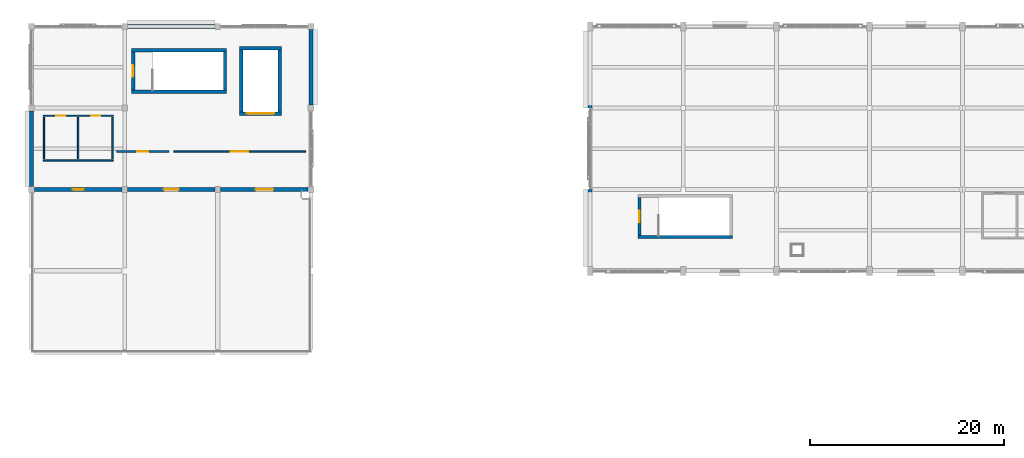
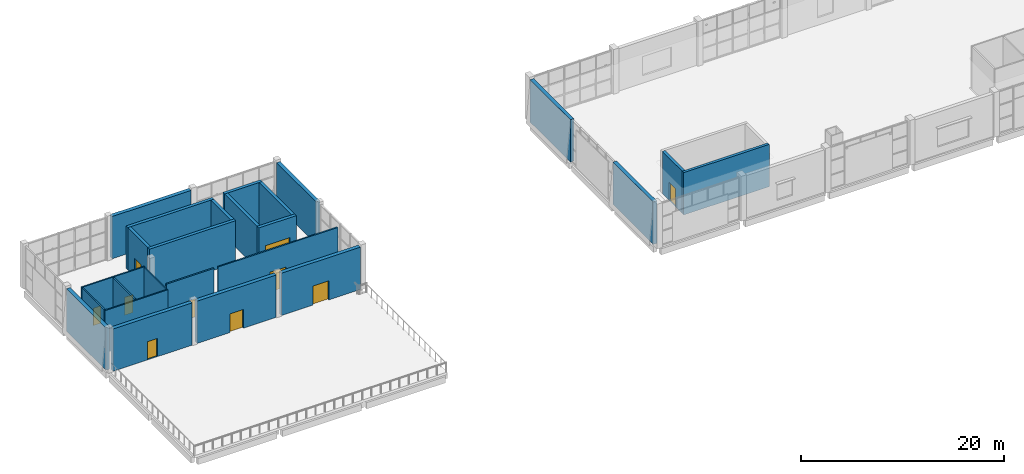
# One storey, part 41 of 57: 25 walls, 10 doors, 10 openings.
"""IFC4 building model written with IfcOpenShell, lengths in metres."""

from ifc_helpers import new_model, si_unit, direction, frame, frame_2d, origin, place, context, subcontext, project, spatial, rectangle, extrude, material, layer, layer_set, type_object, element, fill, save


model = new_model("IFC4")

# Units and contexts
model_context = context("Model", 3, precision=1e-05, world=origin(), true_north=direction((0.0, 1.0)))
body_context = subcontext(model_context, "Body", "Model", "MODEL_VIEW")
ifc_project = project(units=[si_unit("LENGTHUNIT", "METRE"), si_unit("AREAUNIT", "SQUARE_METRE"), si_unit("VOLUMEUNIT", "CUBIC_METRE"), si_unit("PLANEANGLEUNIT", "RADIAN"), si_unit("MASSUNIT", "GRAM", prefix="KILO")], contexts=[model_context])

# Site, building, storey
site_placement = place(None, origin())
site = spatial("IfcSite", under=ifc_project, at=site_placement, CompositionType="ELEMENT")
building_placement = place(site_placement, origin())
building = spatial("IfcBuilding", under=site, at=building_placement, Name="Shalvenor Court Art Gallery", CompositionType="ELEMENT")
storey_placement = place(building_placement, frame((0.0, 0.0, 16.800048828125)))
storey = spatial("IfcBuildingStorey", under=building, at=storey_placement, Name="L03", CompositionType="ELEMENT", Elevation=16.800048828125)

# Walls
ifc_material_1 = material(Name="Concrete C40/50", Category="concrete")
ifc_layer_1 = layer(ifc_material_1, 0.35009765625, Name="Concrete C40/50")
ifc_layer_set_1 = layer_set([ifc_layer_1], Name="Concrete C40/50")
wall_type_1 = type_object("IfcWallType", Name="CW-W1", PredefinedType="SHEAR", material=ifc_layer_set_1)
wall_1_placement = place(storey_placement, frame((10.2880859375, 119.93701171875, 0.0), z_axis=(0.0, 0.0, 1.0), x_axis=(1.0, 0.0, 0.0)))
element("IfcWall", 1, at=wall_1_placement, inside=storey, type_object=wall_type_1, Name="L03 C6 Stair Core Shear Wall N", PredefinedType="SHEAR", context=body_context, shape_type="SweptSolid", body=[
    extrude(rectangle(XDim=9.823974609375, YDim=0.35009765625, at=frame_2d((4.912109375, 0.0))), origin(), (0.0, 0.0, 1.0), 5.099853515625),
])
wall_2_placement = place(storey_placement, frame((19.93701171875, 119.761962890625, 0.0), z_axis=(0.0, 0.0, 1.0), x_axis=(0.0, -1.0, 0.0)))
element("IfcWall", 2, at=wall_2_placement, inside=storey, type_object=wall_type_1, Name="L03 C6 Stair Core Shear Wall E", PredefinedType="SHEAR", context=body_context, shape_type="SweptSolid", body=[
    extrude(rectangle(XDim=3.924072265625, YDim=0.35009765625, at=frame_2d((1.9619140625, 0.0))), origin(), (0.0, 0.0, 1.0), 5.099853515625),
])
wall_3_placement = place(storey_placement, frame((20.112060546875, 115.6630859375, 0.0), z_axis=(0.0, 0.0, 1.0), x_axis=(-1.0, 0.0, 0.0)))
element("IfcWall", 3, at=wall_3_placement, inside=storey, type_object=wall_type_1, Name="L03 C6 Stair Core Shear Wall S", PredefinedType="SHEAR", context=body_context, shape_type="SweptSolid", body=[
    extrude(rectangle(XDim=9.823974609375, YDim=0.35009765625, at=frame_2d((4.912109375, 0.0))), origin(), (0.0, 0.0, 1.0), 5.099853515625),
])

# Wall, opening, door
wall_4_placement = place(storey_placement, frame((10.462890625, 115.837890625, 0.0), z_axis=(0.0, 0.0, 1.0), x_axis=(0.0, 1.0, 0.0)))
wall_4 = element("IfcWall", 4, at=wall_4_placement, inside=storey, type_object=wall_type_1, Name="L03 C6 Stair Core Shear Wall W", PredefinedType="SHEAR", context=body_context, shape_type="SweptSolid", body=[
    extrude(rectangle(XDim=3.924072265625, YDim=0.35009765625, at=frame_2d((1.9619140625, 0.0))), origin(), (0.0, 0.0, 1.0), 5.099853515625),
])
opening_1_placement = place(wall_4_placement, frame((1.362060546875, 0.0, 0.0)))
opening_1 = element("IfcOpeningElement", 5, at=opening_1_placement, cuts=wall_4, Name="Opening FD-01", PredefinedType="OPENING", context=body_context, shape_type="SweptSolid", body=[
    extrude(rectangle(XDim=1.199951171875, YDim=2.199951171875, at=frame_2d((0.60009765625, 1.10009765625))), frame((0.0, 0.18505859375, 0.0), z_axis=(0.0, -1.0, 0.0), x_axis=(1.0, 0.0, 0.0)), (0.0, 0.0, 1.0), 0.3701171875),
])
ifc_material_2 = material(Name="Fire-rated steel stair doorset", Category="steel")
door_type_1 = type_object("IfcDoorType", Name="FD-01", OperationType="NOTDEFINED", PredefinedType="DOOR", material=ifc_material_2)
door_1_placement = place(opening_1_placement, origin())
door_1 = element("IfcDoor", 6, at=door_1_placement, inside=storey, type_object=door_type_1, Name="DR-ST-L03-C6 L03 ST-06 Fire Stair Door", OperationType="SINGLE_SWING_LEFT", OverallHeight=2.199951171875, OverallWidth=1.199951171875, PredefinedType="DOOR", context=body_context, shape_type="SweptSolid", body=[
    extrude(rectangle(XDim=1.199951171875, YDim=2.199951171875, at=frame_2d((0.60009765625, 1.10009765625))), frame((0.0, 0.02490234375, 0.0), z_axis=(0.0, -1.0, 0.0), x_axis=(1.0, 0.0, 0.0)), (0.0, 0.0, 1.0), 0.050048828125),
])
fill(opening_1, door_1)

# Walls
wall_5_placement = place(storey_placement, frame((21.449951171875, 120.175048828125, 0.0), z_axis=(0.0, 0.0, 1.0), x_axis=(1.0, 0.0, 0.0)))
element("IfcWall", 7, at=wall_5_placement, inside=storey, type_object=wall_type_1, Name="L03 GL-01 Lift Shaft Wall N", PredefinedType="SHEAR", context=body_context, shape_type="SweptSolid", body=[
    extrude(rectangle(XDim=4.300048828125, YDim=0.35009765625, at=frame_2d((2.14990234375, 0.0))), origin(), (0.0, 0.0, 1.0), 5.099853515625),
])
wall_6_placement = place(storey_placement, frame((25.574951171875, 120.0, 0.0), z_axis=(0.0, 0.0, 1.0), x_axis=(0.0, -1.0, 0.0)))
element("IfcWall", 8, at=wall_6_placement, inside=storey, type_object=wall_type_1, Name="L03 GL-01 Lift Shaft Wall E", PredefinedType="SHEAR", context=body_context, shape_type="SweptSolid", body=[
    extrude(rectangle(XDim=6.39990234375, YDim=0.35009765625, at=frame_2d((3.199951171875, 0.0))), origin(), (0.0, 0.0, 1.0), 5.099853515625),
])

# Wall, opening, door
wall_7_placement = place(storey_placement, frame((25.75, 113.425048828125, 0.0), z_axis=(0.0, 0.0, 1.0), x_axis=(-1.0, 0.0, 0.0)))
wall_7 = element("IfcWall", 9, at=wall_7_placement, inside=storey, type_object=wall_type_1, Name="L03 GL-01 Lift Shaft Wall S", PredefinedType="SHEAR", context=body_context, shape_type="SweptSolid", body=[
    extrude(rectangle(XDim=4.300048828125, YDim=0.35009765625, at=frame_2d((2.14990234375, 0.0))), origin(), (0.0, 0.0, 1.0), 5.099853515625),
])
opening_2_placement = place(wall_7_placement, frame((0.75, 0.0, 0.0)))
opening_2 = element("IfcOpeningElement", 10, at=opening_2_placement, cuts=wall_7, Name="Opening LD-03", PredefinedType="OPENING", context=body_context, shape_type="SweptSolid", body=[
    extrude(rectangle(XDim=2.800048828125, YDim=2.699951171875, at=frame_2d((1.39990234375, 1.35009765625))), frame((0.0, 0.18505859375, 0.0), z_axis=(0.0, -1.0, 0.0), x_axis=(1.0, 0.0, 0.0)), (0.0, 0.0, 1.0), 0.3701171875),
])
ifc_material_3 = material(Name="Heavy-duty clean-art freight lift sliding landing door", Category="steel")
door_type_2 = type_object("IfcDoorType", Name="LD-03", OperationType="NOTDEFINED", PredefinedType="DOOR", material=ifc_material_3)
door_2_placement = place(opening_2_placement, origin())
door_2 = element("IfcDoor", 11, at=door_2_placement, inside=storey, type_object=door_type_2, Name="DR-LD-L03-GL-01 L03 GL-01 Lift Landing Sliding Door", OperationType="DOUBLE_DOOR_SLIDING", OverallHeight=2.699951171875, OverallWidth=2.800048828125, PredefinedType="DOOR", context=body_context, shape_type="SweptSolid", body=[
    extrude(rectangle(XDim=2.800048828125, YDim=2.699951171875, at=frame_2d((1.39990234375, 1.35009765625))), frame((0.0, 0.02490234375, 0.0), z_axis=(0.0, -1.0, 0.0), x_axis=(1.0, 0.0, 0.0)), (0.0, 0.0, 1.0), 0.050048828125),
])
fill(opening_2, door_2)

# Walls
wall_8_placement = place(storey_placement, frame((21.625, 113.60009765625, 0.0), z_axis=(0.0, 0.0, 1.0), x_axis=(0.0, 1.0, 0.0)))
element("IfcWall", 12, at=wall_8_placement, inside=storey, type_object=wall_type_1, Name="L03 GL-01 Lift Shaft Wall W", PredefinedType="SHEAR", context=body_context, shape_type="SweptSolid", body=[
    extrude(rectangle(XDim=6.39990234375, YDim=0.35009765625, at=frame_2d((3.199951171875, 0.0))), origin(), (0.0, 0.0, 1.0), 5.099853515625),
])
ifc_material_4 = material(Name="Concrete C40/50", Category="concrete")
ifc_layer_2 = layer(ifc_material_4, 0.31005859375, Name="Concrete C40/50")
ifc_layer_set_2 = layer_set([ifc_layer_2], Name="Concrete C40/50")
wall_type_2 = type_object("IfcWallType", Name="CW-W2", PredefinedType="SHEAR", material=ifc_layer_set_2)
wall_9_placement = place(storey_placement, frame((72.27197265625, 100.68310546875, 0.0), z_axis=(0.0, 0.0, 1.0), x_axis=(-1.0, 0.0, 0.0)))
element("IfcWall", 13, at=wall_9_placement, inside=storey, type_object=wall_type_2, Name="L03 C9 Stair Core Shear Wall S", PredefinedType="SHEAR", context=body_context, shape_type="SweptSolid", body=[
    extrude(rectangle(XDim=9.743896484375, YDim=0.31005859375, at=frame_2d((4.8720703125, 0.0))), origin(), (0.0, 0.0, 1.0), 5.099853515625),
])

# Wall, opening, door
wall_10_placement = place(storey_placement, frame((62.68310546875, 100.837890625, 0.0), z_axis=(0.0, 0.0, 1.0), x_axis=(0.0, 1.0, 0.0)))
wall_10 = element("IfcWall", 14, at=wall_10_placement, inside=storey, type_object=wall_type_2, Name="L03 C9 Stair Core Shear Wall W", PredefinedType="SHEAR", context=body_context, shape_type="SweptSolid", body=[
    extrude(rectangle(XDim=3.924072265625, YDim=0.31005859375, at=frame_2d((1.9619140625, 0.0))), origin(), (0.0, 0.0, 1.0), 5.099853515625),
])
opening_3_placement = place(wall_10_placement, frame((1.362060546875, 0.0, 0.0)))
opening_3 = element("IfcOpeningElement", 15, at=opening_3_placement, cuts=wall_10, Name="Opening FD-01", PredefinedType="OPENING", context=body_context, shape_type="SweptSolid", body=[
    extrude(rectangle(XDim=1.199951171875, YDim=2.199951171875, at=frame_2d((0.60009765625, 1.10009765625))), frame((0.0, 0.1650390625, 0.0), z_axis=(0.0, -1.0, 0.0), x_axis=(1.0, 0.0, 0.0)), (0.0, 0.0, 1.0), 0.330078125),
])
door_3_placement = place(opening_3_placement, origin())
door_3 = element("IfcDoor", 16, at=door_3_placement, inside=storey, type_object=door_type_1, Name="DR-ST-L03-C9 L03 ST-09 Fire Stair Door", OperationType="SINGLE_SWING_RIGHT", OverallHeight=2.199951171875, OverallWidth=1.199951171875, PredefinedType="DOOR", context=body_context, shape_type="SweptSolid", body=[
    extrude(rectangle(XDim=1.199951171875, YDim=2.199951171875, at=frame_2d((0.60009765625, 1.10009765625))), frame((0.0, 0.02490234375, 0.0), z_axis=(0.0, -1.0, 0.0), x_axis=(1.0, 0.0, 0.0)), (0.0, 0.0, 1.0), 0.050048828125),
])
fill(opening_3, door_3)

# Walls
ifc_material_5 = material(Name="Concrete C40/50", Category="concrete")
ifc_layer_3 = layer(ifc_material_5, 0.419921875, Name="Concrete C40/50")
ifc_layer_set_3 = layer_set([ifc_layer_3], Name="Concrete C40/50")
wall_type_3 = type_object("IfcWallType", Name="EW-02", PredefinedType="SOLIDWALL", material=ifc_layer_set_3)
wall_11_placement = place(storey_placement, frame((57.60009765625, 97.64990234375, 0.0), z_axis=(0.0, 0.0, 1.0), x_axis=(0.0, 1.0, 0.0)))
element("IfcWall", 17, at=wall_11_placement, inside=storey, type_object=wall_type_3, Name="L03 V2 Exterior Wall WL-L03-0162", PredefinedType="SOLIDWALL", context=body_context, shape_type="SweptSolid", body=[
    extrude(rectangle(XDim=7.9501953125, YDim=0.419921875, at=frame_2d((3.97509765625, 0.0))), origin(), (0.0, 0.0, 1.0), 5.099853515625),
])
wall_12_placement = place(storey_placement, frame((57.60009765625, 114.0, 0.0), z_axis=(0.0, 0.0, 1.0), x_axis=(0.0, 1.0, 0.0)))
element("IfcWall", 18, at=wall_12_placement, inside=storey, type_object=wall_type_3, Name="L03 V2 Exterior Wall WL-L03-0163", PredefinedType="SOLIDWALL", context=body_context, shape_type="SweptSolid", body=[
    extrude(rectangle(XDim=7.949951171875, YDim=0.419921875, at=frame_2d((3.97509765625, 0.0))), origin(), (0.0, 0.0, 1.0), 5.099853515625),
])
wall_13_placement = place(storey_placement, frame((9.89990234375, 122.39990234375, 0.0), z_axis=(0.0, 0.0, 1.0), x_axis=(1.0, 0.0, 0.0)))
element("IfcWall", 19, at=wall_13_placement, inside=storey, type_object=wall_type_3, Name="L03 V5 Exterior Wall WL-L03-0314", PredefinedType="SOLIDWALL", context=body_context, shape_type="SweptSolid", body=[
    extrude(rectangle(XDim=9.0, YDim=0.419921875, at=frame_2d((4.5, 0.0))), origin(), (0.0, 0.0, 1.0), 5.099853515625),
])
wall_14_placement = place(storey_placement, frame((28.800048828125, 122.10009765625, 0.0), z_axis=(0.0, 0.0, 1.0), x_axis=(0.0, -1.0, 0.0)))
element("IfcWall", 20, at=wall_14_placement, inside=storey, type_object=wall_type_3, Name="L03 V5 Exterior Wall WL-L03-0315", PredefinedType="SOLIDWALL", context=body_context, shape_type="SweptSolid", body=[
    extrude(rectangle(XDim=7.800048828125, YDim=0.419921875, at=frame_2d((3.89990234375, 0.0))), origin(), (0.0, 0.0, 1.0), 5.099853515625),
])

# Wall, opening, door
wall_15_placement = place(storey_placement, frame((28.5, 105.60009765625, 0.0), z_axis=(0.0, 0.0, 1.0), x_axis=(-1.0, 0.0, 0.0)))
wall_15 = element("IfcWall", 21, at=wall_15_placement, inside=storey, type_object=wall_type_3, Name="L03 V5 Exterior Wall WL-L03-0316", PredefinedType="SOLIDWALL", context=body_context, shape_type="SweptSolid", body=[
    extrude(rectangle(XDim=9.0, YDim=0.419921875, at=frame_2d((4.5, 0.0))), origin(), (0.0, 0.0, 1.0), 5.099853515625),
])
opening_4_placement = place(wall_15_placement, frame((3.60009765625, 0.0, 0.0)))
opening_4 = element("IfcOpeningElement", 22, at=opening_4_placement, cuts=wall_15, Name="Opening TD-01", PredefinedType="OPENING", context=body_context, shape_type="SweptSolid", body=[
    extrude(rectangle(XDim=1.800048828125, YDim=2.300048828125, at=frame_2d((0.89990234375, 1.14990234375))), frame((0.0, 0.219970703125, 0.0), z_axis=(0.0, -1.0, 0.0), x_axis=(1.0, 0.0, 0.0)), (0.0, 0.0, 1.0), 0.43994140625),
])
ifc_material_6 = material(Name="Anodised aluminium glazed terrace door", Category="aluminium")
door_type_3 = type_object("IfcDoorType", Name="TD-01", OperationType="NOTDEFINED", PredefinedType="DOOR", material=ifc_material_6)
door_4_placement = place(opening_4_placement, origin())
door_4 = element("IfcDoor", 23, at=door_4_placement, inside=storey, type_object=door_type_3, Name="DR-TR-055 L03 Gallery Terrace Door", OperationType="DOUBLE_DOOR_SINGLE_SWING", OverallHeight=2.300048828125, OverallWidth=1.800048828125, PredefinedType="DOOR", context=body_context, shape_type="SweptSolid", body=[
    extrude(rectangle(XDim=1.800048828125, YDim=2.300048828125, at=frame_2d((0.89990234375, 1.14990234375))), frame((0.0, 0.02490234375, 0.0), z_axis=(0.0, -1.0, 0.0), x_axis=(1.0, 0.0, 0.0)), (0.0, 0.0, 1.0), 0.050048828125),
])
fill(opening_4, door_4)

wall_16_placement = place(storey_placement, frame((18.89990234375, 105.60009765625, 0.0), z_axis=(0.0, 0.0, 1.0), x_axis=(-1.0, 0.0, 0.0)))
wall_16 = element("IfcWall", 24, at=wall_16_placement, inside=storey, type_object=wall_type_3, Name="L03 V5 Exterior Wall WL-L03-0317", PredefinedType="SOLIDWALL", context=body_context, shape_type="SweptSolid", body=[
    extrude(rectangle(XDim=9.0, YDim=0.419921875, at=frame_2d((4.5, 0.0))), origin(), (0.0, 0.0, 1.0), 5.099853515625),
])
opening_5_placement = place(wall_16_placement, frame((3.75, 0.0, 0.0)))
opening_5 = element("IfcOpeningElement", 25, at=opening_5_placement, cuts=wall_16, Name="Opening TD-02", PredefinedType="OPENING", context=body_context, shape_type="SweptSolid", body=[
    extrude(rectangle(XDim=1.5, YDim=2.25, at=frame_2d((0.75, 1.125))), frame((0.0, 0.219970703125, 0.0), z_axis=(0.0, -1.0, 0.0), x_axis=(1.0, 0.0, 0.0)), (0.0, 0.0, 1.0), 0.43994140625),
])
ifc_material_7 = material(Name="Anodised aluminium glazed terrace door", Category="aluminium")
door_type_4 = type_object("IfcDoorType", Name="TD-02", OperationType="NOTDEFINED", PredefinedType="DOOR", material=ifc_material_7)
door_5_placement = place(opening_5_placement, origin())
door_5 = element("IfcDoor", 26, at=door_5_placement, inside=storey, type_object=door_type_4, Name="DR-TR-056 L03 Gallery Terrace Door", OperationType="DOUBLE_DOOR_SINGLE_SWING", OverallHeight=2.25, OverallWidth=1.5, PredefinedType="DOOR", context=body_context, shape_type="SweptSolid", body=[
    extrude(rectangle(XDim=1.5, YDim=2.25, at=frame_2d((0.75, 1.125))), frame((0.0, 0.02490234375, 0.0), z_axis=(0.0, -1.0, 0.0), x_axis=(1.0, 0.0, 0.0)), (0.0, 0.0, 1.0), 0.050048828125),
])
fill(opening_5, door_5)

wall_17_placement = place(storey_placement, frame((9.300048828125, 105.60009765625, 0.0), z_axis=(0.0, 0.0, 1.0), x_axis=(-1.0, 0.0, 0.0)))
wall_17 = element("IfcWall", 27, at=wall_17_placement, inside=storey, type_object=wall_type_3, Name="L03 V5 Exterior Wall WL-L03-0318", PredefinedType="SOLIDWALL", context=body_context, shape_type="SweptSolid", body=[
    extrude(rectangle(XDim=9.0, YDim=0.419921875, at=frame_2d((4.5, 0.0))), origin(), (0.0, 0.0, 1.0), 5.099853515625),
])
opening_6_placement = place(wall_17_placement, frame((3.949951171875, 0.0, 0.0)))
opening_6 = element("IfcOpeningElement", 28, at=opening_6_placement, cuts=wall_17, Name="Opening TD-03", PredefinedType="OPENING", context=body_context, shape_type="SweptSolid", body=[
    extrude(rectangle(XDim=1.10009765625, YDim=2.199951171875, at=frame_2d((0.550048828125, 1.10009765625))), frame((0.0, 0.219970703125, 0.0), z_axis=(0.0, -1.0, 0.0), x_axis=(1.0, 0.0, 0.0)), (0.0, 0.0, 1.0), 0.43994140625),
])
ifc_material_8 = material(Name="Anodised aluminium glazed terrace door", Category="aluminium")
door_type_5 = type_object("IfcDoorType", Name="TD-03", OperationType="NOTDEFINED", PredefinedType="DOOR", material=ifc_material_8)
door_6_placement = place(opening_6_placement, origin())
door_6 = element("IfcDoor", 29, at=door_6_placement, inside=storey, type_object=door_type_5, Name="DR-TR-057 L03 Gallery Terrace Door", OperationType="SINGLE_SWING_RIGHT", OverallHeight=2.199951171875, OverallWidth=1.10009765625, PredefinedType="DOOR", context=body_context, shape_type="SweptSolid", body=[
    extrude(rectangle(XDim=1.10009765625, YDim=2.199951171875, at=frame_2d((0.550048828125, 1.10009765625))), frame((0.0, 0.02490234375, 0.0), z_axis=(0.0, -1.0, 0.0), x_axis=(1.0, 0.0, 0.0)), (0.0, 0.0, 1.0), 0.050048828125),
])
fill(opening_6, door_6)

# Wall
wall_18_placement = place(storey_placement, frame((0.0, 105.89990234375, 0.0), z_axis=(0.0, 0.0, 1.0), x_axis=(0.0, 1.0, 0.0)))
element("IfcWall", 30, at=wall_18_placement, inside=storey, type_object=wall_type_3, Name="L03 V5 Exterior Wall WL-L03-0319", PredefinedType="SOLIDWALL", context=body_context, shape_type="SweptSolid", body=[
    extrude(rectangle(XDim=7.800048828125, YDim=0.419921875, at=frame_2d((3.89990234375, 0.0))), origin(), (0.0, 0.0, 1.0), 5.099853515625),
])

# Wall, opening, door
ifc_material_9 = material(Name="Plywood-backed acoustic art-hanging partition", Category="wood")
ifc_layer_4 = layer(ifc_material_9, 0.179931640625, Name="Plywood-backed acoustic art-hanging partition")
ifc_layer_set_4 = layer_set([ifc_layer_4], Name="Plywood-backed acoustic art-hanging partition")
wall_type_4 = type_object("IfcWallType", Name="PT-01", PredefinedType="PARTITIONING", material=ifc_layer_set_4)
wall_19_placement = place(storey_placement, frame((8.72998046875, 109.52001953125, 0.0), z_axis=(0.0, 0.0, 1.0), x_axis=(1.0, 0.0, 0.0)))
wall_19 = element("IfcWall", 31, at=wall_19_placement, inside=storey, type_object=wall_type_4, Name="L03 Paper Restoration Workshop Partition 661", PredefinedType="PARTITIONING", context=body_context, shape_type="SweptSolid", body=[
    extrude(rectangle(XDim=5.43994140625, YDim=0.179931640625, at=frame_2d((2.719970703125, 0.0))), origin(), (0.0, 0.0, 1.0), 5.099853515625),
])
opening_7_placement = place(wall_19_placement, frame((2.14501953125, 0.0, 0.0)))
opening_7 = element("IfcOpeningElement", 32, at=opening_7_placement, cuts=wall_19, Name="Opening ID-10", PredefinedType="OPENING", context=body_context, shape_type="SweptSolid", body=[
    extrude(rectangle(XDim=1.14990234375, YDim=2.199951171875, at=frame_2d((0.574951171875, 1.10009765625))), frame((0.0, 0.099853515625, 0.0), z_axis=(0.0, -1.0, 0.0), x_axis=(1.0, 0.0, 0.0)), (0.0, 0.0, 1.0), 0.199951171875),
])
ifc_material_10 = material(Name="Acoustic conservation lab single doorset", Category="steel")
door_type_6 = type_object("IfcDoorType", Name="ID-10", OperationType="NOTDEFINED", PredefinedType="DOOR", material=ifc_material_10)
door_7_placement = place(opening_7_placement, origin())
door_7 = element("IfcDoor", 33, at=door_7_placement, inside=storey, type_object=door_type_6, Name="DR-RM-L03-0192 L03 Paper Restoration Workshop Door", OperationType="SINGLE_SWING_RIGHT", OverallHeight=2.199951171875, OverallWidth=1.14990234375, PredefinedType="DOOR", context=body_context, shape_type="SweptSolid", body=[
    extrude(rectangle(XDim=1.14990234375, YDim=2.199951171875, at=frame_2d((0.574951171875, 1.10009765625))), frame((0.0, 0.02490234375, 0.0), z_axis=(0.0, -1.0, 0.0), x_axis=(1.0, 0.0, 0.0)), (0.0, 0.0, 1.0), 0.050048828125),
])
fill(opening_7, door_7)

ifc_material_11 = material(Name="Double-stud acoustic gallery partition", Category="other")
ifc_layer_5 = layer(ifc_material_11, 0.1650390625, Name="Double-stud acoustic gallery partition")
ifc_layer_set_5 = layer_set([ifc_layer_5], Name="Double-stud acoustic gallery partition")
wall_type_5 = type_object("IfcWallType", Name="PT-02", PredefinedType="PARTITIONING", material=ifc_layer_set_5)
wall_20_placement = place(storey_placement, frame((14.6298828125, 109.52001953125, 0.0), z_axis=(0.0, 0.0, 1.0), x_axis=(1.0, 0.0, 0.0)))
wall_20 = element("IfcWall", 34, at=wall_20_placement, inside=storey, type_object=wall_type_5, Name="L03 Artists' Residency Studio Partition 662", PredefinedType="PARTITIONING", context=body_context, shape_type="SweptSolid", body=[
    extrude(rectangle(XDim=13.6201171875, YDim=0.1650390625, at=frame_2d((6.81005859375, 0.0))), origin(), (0.0, 0.0, 1.0), 5.099853515625),
])
opening_8_placement = place(wall_20_placement, frame((5.909912109375, 0.0, 0.0)))
opening_8 = element("IfcOpeningElement", 35, at=opening_8_placement, cuts=wall_20, Name="Opening ID-01", PredefinedType="OPENING", context=body_context, shape_type="SweptSolid", body=[
    extrude(rectangle(XDim=1.800048828125, YDim=2.39990234375, at=frame_2d((0.89990234375, 1.199951171875))), frame((0.0, 0.092529296875, 0.0), z_axis=(0.0, -1.0, 0.0), x_axis=(1.0, 0.0, 0.0)), (0.0, 0.0, 1.0), 0.18505859375),
])
ifc_material_12 = material(Name="Oak-veneered acoustic gallery double doorset", Category="wood")
door_type_7 = type_object("IfcDoorType", Name="ID-01", OperationType="NOTDEFINED", PredefinedType="DOOR", material=ifc_material_12)
door_8_placement = place(opening_8_placement, origin())
door_8 = element("IfcDoor", 36, at=door_8_placement, inside=storey, type_object=door_type_7, Name="DR-RM-L03-0193 L03 Artists' Residency Studio Door", OperationType="DOUBLE_DOOR_SINGLE_SWING", OverallHeight=2.39990234375, OverallWidth=1.800048828125, PredefinedType="DOOR", context=body_context, shape_type="SweptSolid", body=[
    extrude(rectangle(XDim=1.800048828125, YDim=2.39990234375, at=frame_2d((0.89990234375, 1.199951171875))), frame((0.0, 0.02490234375, 0.0), z_axis=(0.0, -1.0, 0.0), x_axis=(1.0, 0.0, 0.0)), (0.0, 0.0, 1.0), 0.050048828125),
])
fill(opening_8, door_8)

# Wall, openings, doors
ifc_material_13 = material(Name="Moisture-resistant sanitary partition", Category="other")
ifc_layer_6 = layer(ifc_material_13, 0.14990234375, Name="Moisture-resistant sanitary partition")
ifc_layer_set_6 = layer_set([ifc_layer_6], Name="Moisture-resistant sanitary partition")
wall_type_6 = type_object("IfcWallType", Name="PT-03", PredefinedType="PARTITIONING", material=ifc_layer_set_6)
wall_21_placement = place(storey_placement, frame((1.199951171875, 113.199951171875, 0.0), z_axis=(0.0, 0.0, 1.0), x_axis=(1.0, 0.0, 0.0)))
wall_21 = element("IfcWall", 37, at=wall_21_placement, inside=storey, type_object=wall_type_6, Name="L03 C6 Restroom Front Partition", PredefinedType="PARTITIONING", context=body_context, shape_type="SweptSolid", body=[
    extrude(rectangle(XDim=7.199951171875, YDim=0.14990234375, at=frame_2d((3.60009765625, 0.0))), origin(), (0.0, 0.0, 1.0), 5.099853515625),
])
opening_9_placement = place(wall_21_placement, frame((1.35009765625, 0.0, 0.0)))
opening_9 = element("IfcOpeningElement", 38, at=opening_9_placement, cuts=wall_21, Name="Opening ID-07", PredefinedType="OPENING", context=body_context, shape_type="SweptSolid", body=[
    extrude(rectangle(XDim=0.89990234375, YDim=2.10009765625, at=frame_2d((0.449951171875, 1.050048828125))), frame((0.0, 0.0849609375, 0.0), z_axis=(0.0, -1.0, 0.0), x_axis=(1.0, 0.0, 0.0)), (0.0, 0.0, 1.0), 0.169921875),
])
opening_10_placement = place(wall_21_placement, frame((4.925048828125, 0.0, 0.0)))
opening_10 = element("IfcOpeningElement", 39, at=opening_10_placement, cuts=wall_21, Name="Opening ID-06", PredefinedType="OPENING", context=body_context, shape_type="SweptSolid", body=[
    extrude(rectangle(XDim=0.949951171875, YDim=2.14990234375, at=frame_2d((0.47509765625, 1.074951171875))), frame((0.0, 0.0849609375, 0.0), z_axis=(0.0, -1.0, 0.0), x_axis=(1.0, 0.0, 0.0)), (0.0, 0.0, 1.0), 0.169921875),
])
ifc_material_14 = material(Name="Accessible restroom doorset", Category="steel")
door_type_8 = type_object("IfcDoorType", Name="ID-06", OperationType="NOTDEFINED", PredefinedType="DOOR", material=ifc_material_14)
door_9_placement = place(opening_10_placement, origin())
door_9 = element("IfcDoor", 40, at=door_9_placement, inside=storey, type_object=door_type_8, Name="DR-AWC-L03-C6-2 L03 C6 Accessible Restroom Door", OperationType="SINGLE_SWING_LEFT", OverallHeight=2.14990234375, OverallWidth=0.949951171875, PredefinedType="DOOR", context=body_context, shape_type="SweptSolid", body=[
    extrude(rectangle(XDim=0.949951171875, YDim=2.14990234375, at=frame_2d((0.47509765625, 1.074951171875))), frame((0.0, 0.02490234375, 0.0), z_axis=(0.0, -1.0, 0.0), x_axis=(1.0, 0.0, 0.0)), (0.0, 0.0, 1.0), 0.050048828125),
])
fill(opening_10, door_9)
ifc_material_15 = material(Name="Restroom timber doorset", Category="wood")
door_type_9 = type_object("IfcDoorType", Name="ID-07", OperationType="NOTDEFINED", PredefinedType="DOOR", material=ifc_material_15)
door_10_placement = place(opening_9_placement, origin())
door_10 = element("IfcDoor", 41, at=door_10_placement, inside=storey, type_object=door_type_9, Name="DR-WC-L03-C6-1 L03 C6 Public Restroom Door", OperationType="SINGLE_SWING_RIGHT", OverallHeight=2.10009765625, OverallWidth=0.89990234375, PredefinedType="DOOR", context=body_context, shape_type="SweptSolid", body=[
    extrude(rectangle(XDim=0.89990234375, YDim=2.10009765625, at=frame_2d((0.449951171875, 1.050048828125))), frame((0.0, 0.02490234375, 0.0), z_axis=(0.0, -1.0, 0.0), x_axis=(1.0, 0.0, 0.0)), (0.0, 0.0, 1.0), 0.050048828125),
])
fill(opening_9, door_10)

# Walls
wall_22_placement = place(storey_placement, frame((1.199951171875, 108.60009765625, 0.0), z_axis=(0.0, 0.0, 1.0), x_axis=(1.0, 0.0, 0.0)))
element("IfcWall", 42, at=wall_22_placement, inside=storey, type_object=wall_type_6, Name="L03 C6 Restroom Back Partition", PredefinedType="PARTITIONING", context=body_context, shape_type="SweptSolid", body=[
    extrude(rectangle(XDim=7.199951171875, YDim=0.14990234375, at=frame_2d((3.60009765625, 0.0))), origin(), (0.0, 0.0, 1.0), 5.099853515625),
])
for number, where, z_axis, x_axis, name in (
    (43, (1.27490234375, 108.760009765625, 0.0), (0.0, 0.0, 1.0), (0.0, 1.0, 0.0), "L03 C6 Restroom Partition L"),
    (44, (4.800048828125, 108.760009765625, 0.0), (0.0, 0.0, 1.0), (0.0, 1.0, 0.0), "L03 C6 Restroom Partition M"),
    (45, (8.324951171875, 108.760009765625, 0.0), (0.0, 0.0, 1.0), (0.0, 1.0, 0.0), "L03 C6 Restroom Partition R"),
):
    element("IfcWall", number, at=place(storey_placement, frame(where, z_axis=z_axis, x_axis=x_axis)), inside=storey, type_object=wall_type_6, Name=name, PredefinedType="PARTITIONING", context=body_context, shape_type="SweptSolid", body=[
        extrude(rectangle(XDim=4.280029296875, YDim=0.14990234375, at=frame_2d((2.14013671875, 0.0))), origin(), (0.0, 0.0, 1.0), 5.099853515625),
    ])

save(model, "model.ifc")
